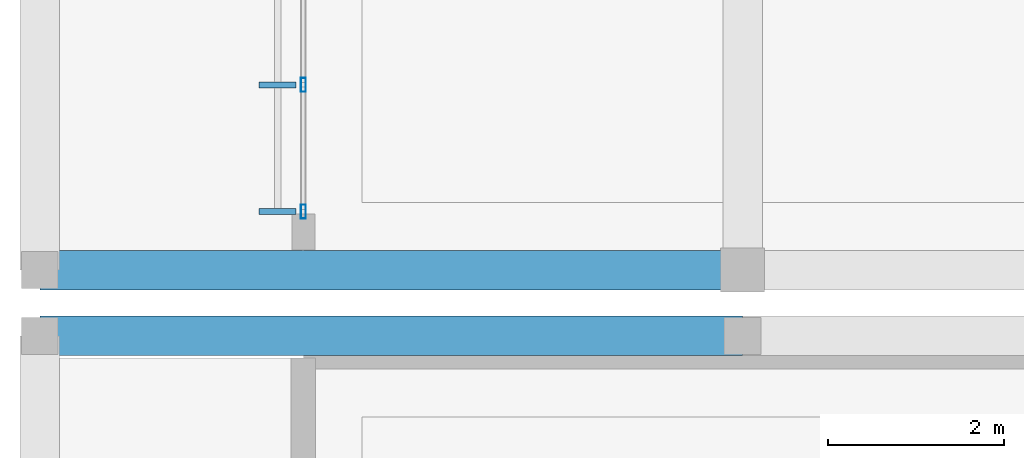
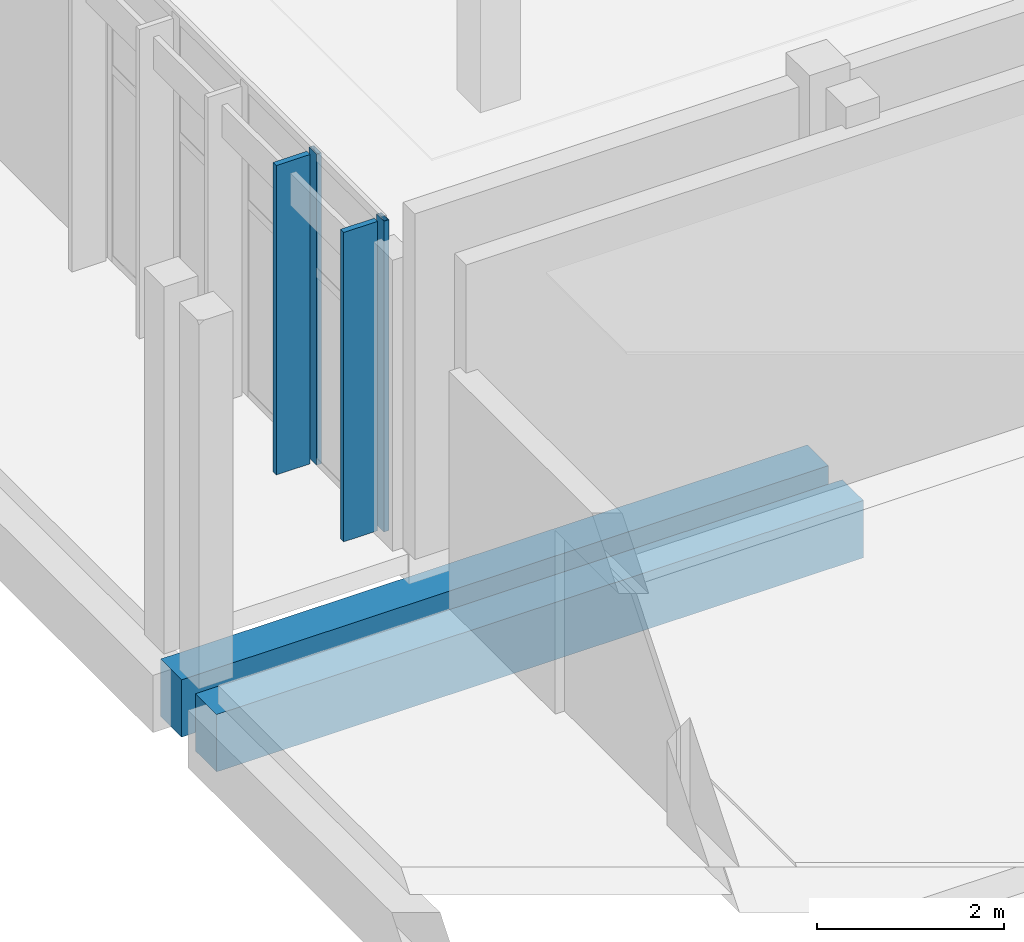
# One storey, part 23 of 151: 4 members, 2 beams, 1 element without a shape of its own.
"""IFC4 building model written with IfcOpenShell, lengths in metres."""

from ifc_helpers import new_model, si_unit, direction, frame, origin, origin_2d, place, context, subcontext, project, spatial, rectangle, hollow_rectangle, extrude, material, material_profile, profile_set, type_object, element, aggregate, save


model = new_model("IFC4")

# Units and contexts
model_context = context("Model", 3, precision=1e-05, world=origin(), true_north=direction((0.0, 1.0)))
body_context = subcontext(model_context, "Body", "Model", "MODEL_VIEW")
ifc_project = project(units=[si_unit("LENGTHUNIT", "METRE"), si_unit("AREAUNIT", "SQUARE_METRE"), si_unit("VOLUMEUNIT", "CUBIC_METRE"), si_unit("PLANEANGLEUNIT", "RADIAN"), si_unit("MASSUNIT", "GRAM", prefix="KILO")], contexts=[model_context])

# Site, building, storey
site_placement = place(None, origin())
site = spatial("IfcSite", under=ifc_project, at=site_placement, CompositionType="ELEMENT")
building_placement = place(site_placement, origin())
building = spatial("IfcBuilding", under=site, at=building_placement, Name="Chiffa Square Polytechnic", CompositionType="ELEMENT")
storey_placement = place(building_placement, origin())
storey = spatial("IfcBuildingStorey", under=building, at=storey_placement, Name="L00", CompositionType="ELEMENT", Elevation=0.0)

# Curtain wall, members
ifc_material_1 = material(Name="Aluminium EN AW-6060 T66 and glulam shading", Category="wood")
curtain_wall_type = type_object("IfcCurtainWallType", Name="CW-VERT-480X380", PredefinedType="USERDEFINED", material=ifc_material_1)
curtain_wall_placement = place(storey_placement, origin())
curtain_wall = element("IfcCurtainWall", 1, at=curtain_wall_placement, inside=storey, type_object=curtain_wall_type, Name="Curtain wall CW-V6-L00-254", ObjectType="CURTAIN WALL", PredefinedType="USERDEFINED")
ifc_material_2 = material(Name="Aluminium EN AW-6060 T66", Category="aluminium")
ifc_material_profile_1 = material_profile(ifc_material_2, hollow_rectangle(XDim=0.06005859375, YDim=0.159912109375, WallThickness=0.00390625, at=origin_2d()), Name="ALU 60x160x4")
ifc_profile_set_1 = profile_set([ifc_material_profile_1], Name="Aluminium EN AW-6060 T66")
member_type_1 = type_object("IfcMemberType", Name="CWM-ALU-65X150", PredefinedType="MULLION", material=ifc_profile_set_1)
member_1_placement = place(storey_placement, frame((3.0, 38.85791015625, 0.0), z_axis=(0.0, 0.0, 1.0), x_axis=(1.0, 0.0, 0.0)))
member_1 = element("IfcMember", 2, at=member_1_placement, type_object=member_type_1, Name="Curtain wall mullion CW-V6-L00-254-M03", PredefinedType="MULLION", context=body_context, shape_type="SweptSolid", body=[
    extrude(hollow_rectangle(XDim=0.06005859375, YDim=0.159912109375, WallThickness=0.00390625, at=origin_2d()), origin(), (0.0, 0.0, 1.0), 4.06494140625),
])
member_2_placement = place(storey_placement, frame((3.0, 37.4150390625, 0.0), z_axis=(0.0, 0.0, 1.0), x_axis=(1.0, 0.0, 0.0)))
member_2 = element("IfcMember", 3, at=member_2_placement, type_object=member_type_1, Name="Curtain wall mullion CW-V6-L00-254-M04", PredefinedType="MULLION", context=body_context, shape_type="SweptSolid", body=[
    extrude(hollow_rectangle(XDim=0.06005859375, YDim=0.159912109375, WallThickness=0.00390625, at=origin_2d()), origin(), (0.0, 0.0, 1.0), 4.06494140625),
])
ifc_material_3 = material(Name="Glulam GL28h", Category="wood")
ifc_material_profile_2 = material_profile(ifc_material_3, rectangle(XDim=0.070068359375, YDim=0.419921875, at=origin_2d()), Name="GL28h 70x420")
ifc_profile_set_2 = profile_set([ifc_material_profile_2], Name="Glulam GL28h")
member_type_2 = type_object("IfcMemberType", Name="CWM-GL-70X420", PredefinedType="MULLION", material=ifc_profile_set_2)
member_3_placement = place(storey_placement, frame((2.7080078125, 38.85791015625, 0.010009765625), z_axis=(0.0, 0.0, 1.0), x_axis=(0.0, -1.0, 0.0)))
member_3 = element("IfcMember", 4, at=member_3_placement, type_object=member_type_2, Name="Exterior glulam solar fin CW-V6-L00-254-FN03", PredefinedType="MULLION", context=body_context, shape_type="SweptSolid", body=[
    extrude(rectangle(XDim=0.070068359375, YDim=0.419921875, at=origin_2d()), origin(), (0.0, 0.0, 1.0), 4.044921875),
])
member_4_placement = place(storey_placement, frame((2.7080078125, 37.4150390625, 0.010009765625), z_axis=(0.0, 0.0, 1.0), x_axis=(0.0, -1.0, 0.0)))
member_4 = element("IfcMember", 5, at=member_4_placement, type_object=member_type_2, Name="Exterior glulam solar fin CW-V6-L00-254-FN04", PredefinedType="MULLION", context=body_context, shape_type="SweptSolid", body=[
    extrude(rectangle(XDim=0.070068359375, YDim=0.419921875, at=origin_2d()), origin(), (0.0, 0.0, 1.0), 4.044921875),
])
aggregate(curtain_wall, [member_1, member_3, member_2, member_4])

# Beams
ifc_material_4 = material(Name="Concrete C35/45", Category="concrete")
ifc_material_profile_3 = material_profile(ifc_material_4, rectangle(XDim=0.449951171875, YDim=0.75, at=origin_2d()), Name="RC 450x750")
ifc_profile_set_3 = profile_set([ifc_material_profile_3], Name="Concrete C35/45")
beam_type = type_object("IfcBeamType", Name="GB-RC-450X750", PredefinedType="BEAM", material=ifc_profile_set_3)
for number, where, z_axis, x_axis, name in (
    (6, (0.0, 36.0, -0.77490234375), (1.0, 0.0, 0.0), (0.0, 1.0, 0.0), "Ground tie beam GB-V3-X-066"),
    (7, (0.0, 36.75, -0.77490234375), (1.0, 0.0, 0.0), (0.0, 1.0, 0.0), "Ground tie beam GB-V6-X-145"),
):
    element("IfcBeam", number, at=place(storey_placement, frame(where, z_axis=z_axis, x_axis=x_axis)), inside=storey, type_object=beam_type, Name=name, PredefinedType="BEAM", context=body_context, shape_type="SweptSolid", body=[
        extrude(rectangle(XDim=0.449951171875, YDim=0.75, at=origin_2d()), origin(), (0.0, 0.0, 1.0), 8.0),
    ])

save(model, "model.ifc")
